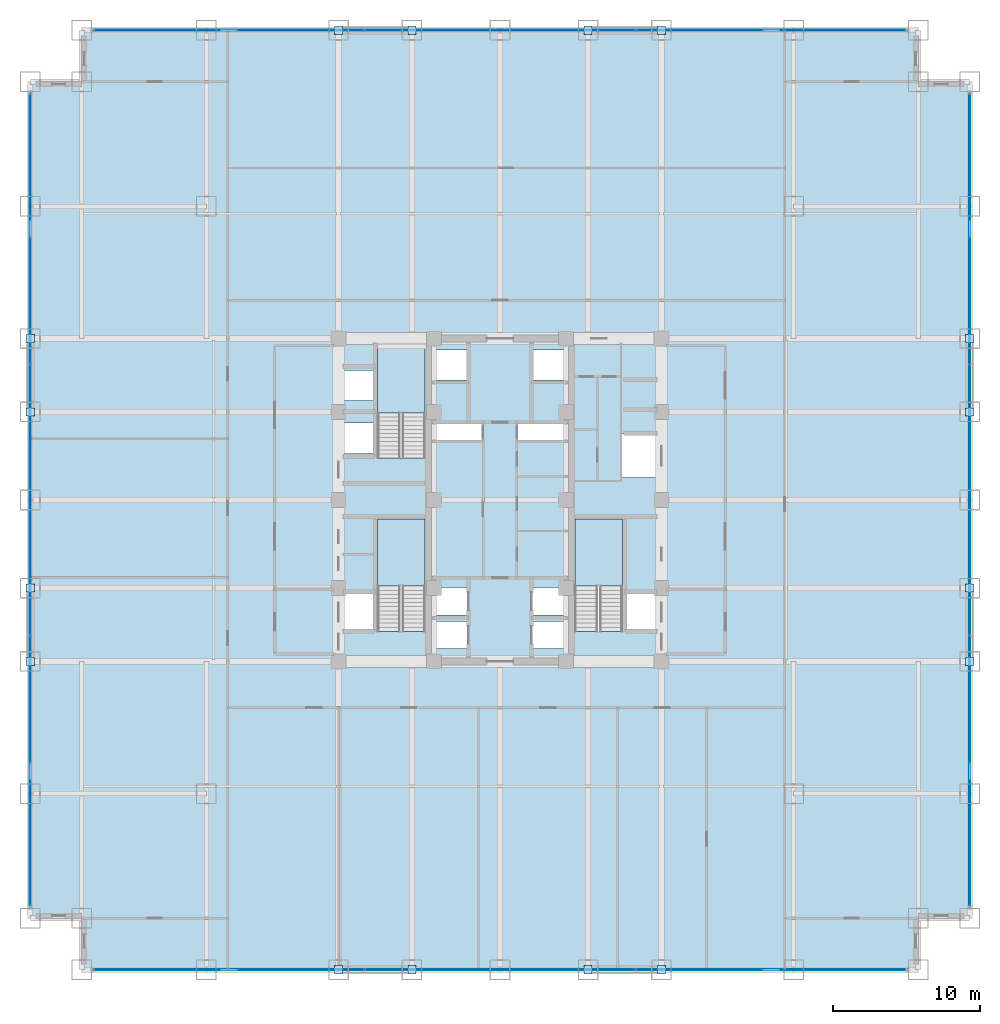
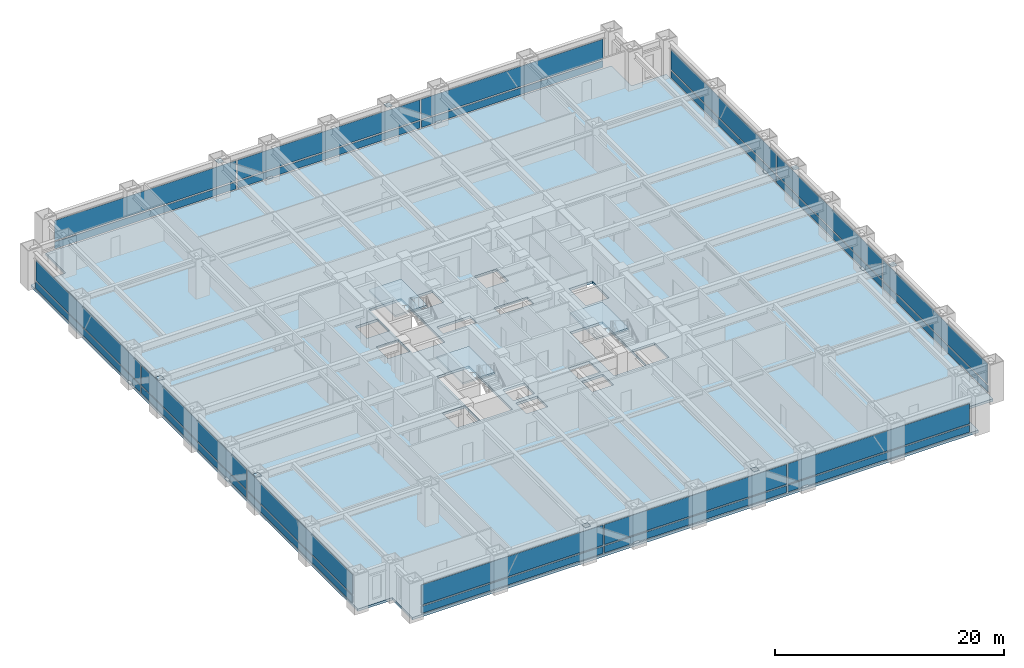
# One storey, part 22 of 27: 40 plates, 4 slabs, 7 elements without a shape of their own.
"""IFC4 building model written with IfcOpenShell, lengths in metres."""

from ifc_helpers import new_model, si_unit, direction, frame, origin, origin_2d, place, context, subcontext, project, spatial, polyline, rectangle, outline, extrude, source, transform, mapped, material, layer, layer_set, type_object, element, aggregate, save


model = new_model("IFC4")

# Units and contexts
model_context = context("Model", 3, precision=1e-05, world=origin(), true_north=direction((0.0, 1.0)))
body_context = subcontext(model_context, "Body", "Model", "MODEL_VIEW")
ifc_project = project(units=[si_unit("LENGTHUNIT", "METRE"), si_unit("AREAUNIT", "SQUARE_METRE"), si_unit("VOLUMEUNIT", "CUBIC_METRE"), si_unit("PLANEANGLEUNIT", "RADIAN"), si_unit("MASSUNIT", "GRAM", prefix="KILO")], contexts=[model_context])

# Site, building, storey
site_placement = place(None, origin())
site = spatial("IfcSite", under=ifc_project, at=site_placement, CompositionType="ELEMENT")
building_placement = place(site_placement, origin())
building = spatial("IfcBuilding", under=site, at=building_placement, Name="Khorayat Bourse Tower", CompositionType="ELEMENT")
storey_placement = place(building_placement, frame((0.0, 0.0, 53.60009765625)))
storey = spatial("IfcBuildingStorey", under=building, at=storey_placement, Name="L11", CompositionType="ELEMENT", Elevation=53.60009765625)

# Stair, slab
ifc_material_1 = material(Name="Concrete C40/50", Category="concrete")
stair_type = type_object("IfcStairType", Name="STR-CORE-1550", PredefinedType="HALF_TURN_STAIR", material=ifc_material_1)
stair_1_placement = place(storey_placement, origin())
stair_1 = element("IfcStair", 1, at=stair_1_placement, inside=storey, type_object=stair_type, Name="L11 Exit Stair ST-1", PredefinedType="HALF_TURN_STAIR")
ifc_layer_1 = layer(ifc_material_1, 0.199951171875)
ifc_layer_set_1 = layer_set([ifc_layer_1], Name="Concrete C40/50")
slab_type_1 = type_object("IfcSlabType", Name="SLB-LANDING-200", PredefinedType="LANDING", material=ifc_layer_set_1)
slab_1_placement = place(storey_placement, frame((0.0, 0.0, 1.89990234375)))
slab_1 = element("IfcSlab", 2, at=slab_1_placement, type_object=slab_type_1, Name="ST-1 landing 1", PredefinedType="LANDING", context=body_context, shape_type="SweptSolid", body=[
    extrude(outline(polyline([(-5.10009765625, -5.8701171875), (-5.10009765625, -1.300048828125), (-8.35009765625, -1.300048828125), (-8.35009765625, -5.8701171875), (-5.10009765625, -5.8701171875)])), origin(), (0.0, 0.0, 1.0), 0.199951171875),
])
aggregate(stair_1, [slab_1])

stair_2_placement = place(storey_placement, origin())
stair_2 = element("IfcStair", 3, at=stair_2_placement, inside=storey, type_object=stair_type, Name="L11 Exit Stair ST-2", PredefinedType="HALF_TURN_STAIR")
slab_2_placement = place(storey_placement, frame((0.0, 0.0, 1.89990234375)))
slab_2 = element("IfcSlab", 4, at=slab_2_placement, type_object=slab_type_1, Name="ST-2 landing 1", PredefinedType="LANDING", context=body_context, shape_type="SweptSolid", body=[
    extrude(outline(polyline([(-5.10009765625, 5.929931640625), (-5.10009765625, 10.5), (-8.35009765625, 10.5), (-8.35009765625, 5.929931640625), (-5.10009765625, 5.929931640625)])), origin(), (0.0, 0.0, 1.0), 0.199951171875),
])
aggregate(stair_2, [slab_2])

stair_3_placement = place(storey_placement, origin())
stair_3 = element("IfcStair", 5, at=stair_3_placement, inside=storey, type_object=stair_type, Name="L11 Exit Stair ST-3", PredefinedType="HALF_TURN_STAIR")
slab_3_placement = place(storey_placement, frame((0.0, 0.0, 1.89990234375)))
slab_3 = element("IfcSlab", 6, at=slab_3_placement, type_object=slab_type_1, Name="ST-3 landing 1", PredefinedType="LANDING", context=body_context, shape_type="SweptSolid", body=[
    extrude(outline(polyline([(8.35009765625, -5.8701171875), (8.35009765625, -1.300048828125), (5.10009765625, -1.300048828125), (5.10009765625, -5.8701171875), (8.35009765625, -5.8701171875)])), origin(), (0.0, 0.0, 1.0), 0.199951171875),
])
aggregate(stair_3, [slab_3])

# Slab
ifc_layer_2 = layer(ifc_material_1, 0.260009765625)
ifc_layer_set_2 = layer_set([ifc_layer_2], Name="Concrete C40/50")
slab_type_2 = type_object("IfcSlabType", Name="SLB-TRADE-260", PredefinedType="FLOOR", material=ifc_layer_set_2)
slab_4_placement = place(storey_placement, frame((0.0, 0.0, -0.260009765625)))
element("IfcSlab", 7, at=slab_4_placement, inside=storey, type_object=slab_type_2, Name="L11 Main Floor Slab", PredefinedType="FLOOR", context=body_context, shape_type="SweptSolid", body=[
    extrude(outline(polyline([(-28.5, -32.0), (28.5, -32.0), (28.5, -28.5), (32.0, -28.5), (32.0, 28.5), (28.5, 28.5), (28.5, 32.0), (-28.5, 32.0), (-28.5, 28.5), (-32.0, 28.5), (-32.0, -28.5), (-28.5, -28.5), (-28.5, -32.0)]), holes=[polyline([(-8.35009765625, -8.945068359375), (-5.10009765625, -8.945068359375), (-5.10009765625, -1.300048828125), (-8.35009765625, -1.300048828125), (-8.35009765625, -8.945068359375)]), polyline([(-8.35009765625, 2.85498046875), (-5.10009765625, 2.85498046875), (-5.10009765625, 10.5), (-8.35009765625, 10.5), (-8.35009765625, 2.85498046875)]), polyline([(5.10009765625, -8.945068359375), (8.35009765625, -8.945068359375), (8.35009765625, -1.300048828125), (5.10009765625, -1.300048828125), (5.10009765625, -8.945068359375)]), polyline([(-4.3798828125, -10.1298828125), (-2.219970703125, -10.1298828125), (-2.219970703125, -8.27001953125), (-4.3798828125, -8.27001953125), (-4.3798828125, -10.1298828125)]), polyline([(2.219970703125, -10.1298828125), (4.3798828125, -10.1298828125), (4.3798828125, -8.27001953125), (2.219970703125, -8.27001953125), (2.219970703125, -10.1298828125)]), polyline([(-4.3798828125, -7.830078125), (-2.219970703125, -7.830078125), (-2.219970703125, -5.969970703125), (-4.3798828125, -5.969970703125), (-4.3798828125, -7.830078125)]), polyline([(2.219970703125, -7.830078125), (4.3798828125, -7.830078125), (4.3798828125, -5.969970703125), (2.219970703125, -5.969970703125), (2.219970703125, -7.830078125)]), polyline([(-4.3798828125, 8.169921875), (-2.1201171875, 8.169921875), (-2.1201171875, 10.22998046875), (-4.3798828125, 10.22998046875), (-4.3798828125, 8.169921875)]), polyline([(2.1201171875, 8.169921875), (4.3798828125, 8.169921875), (4.3798828125, 10.22998046875), (2.1201171875, 10.22998046875), (2.1201171875, 8.169921875)]), polyline([(-10.679931640625, 3.169921875), (-8.419921875, 3.169921875), (-8.419921875, 5.22998046875), (-10.679931640625, 5.22998046875), (-10.679931640625, 3.169921875)]), polyline([(-10.679931640625, 6.77001953125), (-8.419921875, 6.77001953125), (-8.419921875, 8.830078125), (-10.679931640625, 8.830078125), (-10.679931640625, 6.77001953125)]), polyline([(-10.679931640625, -8.929931640625), (-8.419921875, -8.929931640625), (-8.419921875, -6.3701171875), (-10.679931640625, -6.3701171875), (-10.679931640625, -8.929931640625)]), polyline([(8.419921875, -8.929931640625), (10.679931640625, -8.929931640625), (10.679931640625, -6.3701171875), (8.419921875, -6.3701171875), (8.419921875, -8.929931640625)]), polyline([(8.320068359375, 1.52001953125), (10.679931640625, 1.52001953125), (10.679931640625, 4.47998046875), (8.320068359375, 4.47998046875), (8.320068359375, 1.52001953125)]), polyline([(-4.56005859375, 4.080078125), (-1.18994140625, 4.080078125), (-1.18994140625, 5.219970703125), (-4.56005859375, 5.219970703125), (-4.56005859375, 4.080078125)]), polyline([(1.18994140625, 4.080078125), (4.56005859375, 4.080078125), (4.56005859375, 5.219970703125), (1.18994140625, 5.219970703125), (1.18994140625, 4.080078125)])]), origin(), (0.0, 0.0, 1.0), 0.260009765625),
])

# Plates
ifc_material_2 = material(Name="Steel EN 10025-2 S355J2", Category="steel")
ifc_layer_3 = layer(ifc_material_2, 0.02490234375)
ifc_layer_set_3 = layer_set([ifc_layer_3], Name="Steel EN 10025-2 S355J2")
plate_type_1 = type_object("IfcPlateType", Name="PLT-ENDCAP-25", PredefinedType="SHEET", material=ifc_layer_set_3)
shared_shape_1 = source(origin(), body_context, "Body", "SweptSolid", [
    extrude(rectangle(XDim=0.56005859375, YDim=0.56005859375, at=origin_2d()), origin(), (0.0, 0.0, 1.0), 0.02490234375),
])
for number, where, z_axis, x_axis, name in (
    (8, (-11.0, -32.0, 3.677490234375), (0.0, 0.0, 1.0), (1.0, 0.0, 0.0), "L11 Perimeter Brace End Plate 001"),
    (9, (-6.0, -32.0, 0.237548828125), (0.0, 0.0, 1.0), (1.0, 0.0, 0.0), "L11 Perimeter Brace End Plate 002"),
    (10, (6.0, -32.0, 3.677490234375), (0.0, 0.0, 1.0), (1.0, 0.0, 0.0), "L11 Perimeter Brace End Plate 003"),
    (11, (11.0, -32.0, 0.237548828125), (0.0, 0.0, 1.0), (1.0, 0.0, 0.0), "L11 Perimeter Brace End Plate 004"),
    (12, (-11.0, 32.0, 3.677490234375), (0.0, 0.0, 1.0), (1.0, 0.0, 0.0), "L11 Perimeter Brace End Plate 005"),
    (13, (-6.0, 32.0, 0.237548828125), (0.0, 0.0, 1.0), (1.0, 0.0, 0.0), "L11 Perimeter Brace End Plate 006"),
    (14, (6.0, 32.0, 3.677490234375), (0.0, 0.0, 1.0), (1.0, 0.0, 0.0), "L11 Perimeter Brace End Plate 007"),
    (15, (11.0, 32.0, 0.237548828125), (0.0, 0.0, 1.0), (1.0, 0.0, 0.0), "L11 Perimeter Brace End Plate 008"),
    (16, (-32.0, -11.0, 3.677490234375), (0.0, 0.0, 1.0), (1.0, 0.0, 0.0), "L11 Perimeter Brace End Plate 009"),
    (17, (-32.0, -6.0, 0.237548828125), (0.0, 0.0, 1.0), (1.0, 0.0, 0.0), "L11 Perimeter Brace End Plate 010"),
    (18, (-32.0, 6.0, 3.677490234375), (0.0, 0.0, 1.0), (1.0, 0.0, 0.0), "L11 Perimeter Brace End Plate 011"),
    (19, (-32.0, 11.0, 0.237548828125), (0.0, 0.0, 1.0), (1.0, 0.0, 0.0), "L11 Perimeter Brace End Plate 012"),
    (20, (32.0, -11.0, 3.677490234375), (0.0, 0.0, 1.0), (1.0, 0.0, 0.0), "L11 Perimeter Brace End Plate 013"),
    (21, (32.0, -6.0, 0.237548828125), (0.0, 0.0, 1.0), (1.0, 0.0, 0.0), "L11 Perimeter Brace End Plate 014"),
    (22, (32.0, 6.0, 3.677490234375), (0.0, 0.0, 1.0), (1.0, 0.0, 0.0), "L11 Perimeter Brace End Plate 015"),
    (23, (32.0, 11.0, 0.237548828125), (0.0, 0.0, 1.0), (1.0, 0.0, 0.0), "L11 Perimeter Brace End Plate 016"),
):
    element("IfcPlate", number, at=place(storey_placement, frame(where, z_axis=z_axis, x_axis=x_axis)), inside=storey, type_object=plate_type_1, Name=name, PredefinedType="SHEET", context=body_context, shape_type="MappedRepresentation", body=[
        mapped(shared_shape_1, transform((0.0, 0.0, 0.0), scale=1.0)),
    ])

# Curtain wall, plates
ifc_material_3 = material(Name="Aluminium EN AW-6063 T6", Category="aluminium")
curtain_wall_type = type_object("IfcCurtainWallType", Name="CW-SYS-02", PredefinedType="NOTDEFINED", material=ifc_material_3)
curtain_wall_1_placement = place(storey_placement, origin())
curtain_wall_1 = element("IfcCurtainWall", 24, at=curtain_wall_1_placement, inside=storey, type_object=curtain_wall_type, Name="L11 Curtain Wall CW-L11-S1", PredefinedType="NOTDEFINED")
ifc_material_4 = material(Name="Honed desert limestone insulated spandrel", Category="masonry")
ifc_layer_4 = layer(ifc_material_4, 0.06494140625)
ifc_layer_set_4 = layer_set([ifc_layer_4], Name="Honed desert limestone insulated spandrel")
plate_type_2 = type_object("IfcPlateType", Name="CWP-SPAND-03", PredefinedType="CURTAIN_PANEL", material=ifc_layer_set_4)
shared_shape_2 = source(origin(), body_context, "Body", "SweptSolid", [
    extrude(rectangle(XDim=18.2900390625, YDim=0.06494140625, at=origin_2d()), origin(), (0.0, 0.0, 1.0), 0.739990234375),
])
plate_1_placement = place(storey_placement, frame((-18.465087890625, -32.0, 0.14013671875), z_axis=(0.0, 0.0, 1.0), x_axis=(1.0, 0.0, 0.0)))
plate_1 = element("IfcPlate", 25, at=plate_1_placement, type_object=plate_type_2, Name="CW-L11-S1 Spandrel Panel 1-1", PredefinedType="CURTAIN_PANEL", context=body_context, shape_type="MappedRepresentation", body=[
    mapped(shared_shape_2, transform((0.0, 0.0, 0.0), scale=1.0)),
])
plate_2_placement = place(storey_placement, frame((18.465087890625, -32.0, 0.14013671875), z_axis=(0.0, 0.0, 1.0), x_axis=(1.0, 0.0, 0.0)))
plate_2 = element("IfcPlate", 26, at=plate_2_placement, type_object=plate_type_2, Name="CW-L11-S1 Spandrel Panel 3-1", PredefinedType="CURTAIN_PANEL", context=body_context, shape_type="MappedRepresentation", body=[
    mapped(shared_shape_2, transform((0.0, 0.0, 0.0), scale=1.0)),
])

curtain_wall_2_placement = place(storey_placement, origin())
curtain_wall_2 = element("IfcCurtainWall", 27, at=curtain_wall_2_placement, inside=storey, type_object=curtain_wall_type, Name="L11 Curtain Wall CW-L11-N1", PredefinedType="NOTDEFINED")
plate_3_placement = place(storey_placement, frame((-18.465087890625, 32.0, 0.14013671875), z_axis=(0.0, 0.0, 1.0), x_axis=(1.0, 0.0, 0.0)))
plate_3 = element("IfcPlate", 28, at=plate_3_placement, type_object=plate_type_2, Name="CW-L11-N1 Spandrel Panel 1-1", PredefinedType="CURTAIN_PANEL", context=body_context, shape_type="MappedRepresentation", body=[
    mapped(shared_shape_2, transform((0.0, 0.0, 0.0), scale=1.0)),
])
plate_4_placement = place(storey_placement, frame((18.465087890625, 32.0, 0.14013671875), z_axis=(0.0, 0.0, 1.0), x_axis=(1.0, 0.0, 0.0)))
plate_4 = element("IfcPlate", 29, at=plate_4_placement, type_object=plate_type_2, Name="CW-L11-N1 Spandrel Panel 3-1", PredefinedType="CURTAIN_PANEL", context=body_context, shape_type="MappedRepresentation", body=[
    mapped(shared_shape_2, transform((0.0, 0.0, 0.0), scale=1.0)),
])

curtain_wall_3_placement = place(storey_placement, origin())
curtain_wall_3 = element("IfcCurtainWall", 30, at=curtain_wall_3_placement, inside=storey, type_object=curtain_wall_type, Name="L11 Curtain Wall CW-L11-W1", PredefinedType="NOTDEFINED")
plate_5_placement = place(storey_placement, frame((-32.0, -18.465087890625, 0.14013671875), z_axis=(0.0, 0.0, 1.0), x_axis=(0.0, 1.0, 0.0)))
plate_5 = element("IfcPlate", 31, at=plate_5_placement, type_object=plate_type_2, Name="CW-L11-W1 Spandrel Panel 1-1", PredefinedType="CURTAIN_PANEL", context=body_context, shape_type="MappedRepresentation", body=[
    mapped(shared_shape_2, transform((0.0, 0.0, 0.0), scale=1.0)),
])
plate_6_placement = place(storey_placement, frame((-32.0, 18.465087890625, 0.14013671875), z_axis=(0.0, 0.0, 1.0), x_axis=(0.0, 1.0, 0.0)))
plate_6 = element("IfcPlate", 32, at=plate_6_placement, type_object=plate_type_2, Name="CW-L11-W1 Spandrel Panel 3-1", PredefinedType="CURTAIN_PANEL", context=body_context, shape_type="MappedRepresentation", body=[
    mapped(shared_shape_2, transform((0.0, 0.0, 0.0), scale=1.0)),
])

curtain_wall_4_placement = place(storey_placement, origin())
curtain_wall_4 = element("IfcCurtainWall", 33, at=curtain_wall_4_placement, inside=storey, type_object=curtain_wall_type, Name="L11 Curtain Wall CW-L11-E1", PredefinedType="NOTDEFINED")
plate_7_placement = place(storey_placement, frame((32.0, -18.465087890625, 0.14013671875), z_axis=(0.0, 0.0, 1.0), x_axis=(0.0, 1.0, 0.0)))
plate_7 = element("IfcPlate", 34, at=plate_7_placement, type_object=plate_type_2, Name="CW-L11-E1 Spandrel Panel 1-1", PredefinedType="CURTAIN_PANEL", context=body_context, shape_type="MappedRepresentation", body=[
    mapped(shared_shape_2, transform((0.0, 0.0, 0.0), scale=1.0)),
])
plate_8_placement = place(storey_placement, frame((32.0, 18.465087890625, 0.14013671875), z_axis=(0.0, 0.0, 1.0), x_axis=(0.0, 1.0, 0.0)))
plate_8 = element("IfcPlate", 35, at=plate_8_placement, type_object=plate_type_2, Name="CW-L11-E1 Spandrel Panel 3-1", PredefinedType="CURTAIN_PANEL", context=body_context, shape_type="MappedRepresentation", body=[
    mapped(shared_shape_2, transform((0.0, 0.0, 0.0), scale=1.0)),
])

# Plate
ifc_material_5 = material(Name="Low-E solar-control laminated double glazing", Category="glass")
ifc_layer_5 = layer(ifc_material_5, 0.0419921875)
ifc_layer_set_5 = layer_set([ifc_layer_5], Name="Low-E solar-control laminated double glazing")
plate_type_3 = type_object("IfcPlateType", Name="CWP-FACET-02", PredefinedType="CURTAIN_PANEL", material=ifc_layer_set_5)
shared_shape_3 = source(origin(), body_context, "Body", "SweptSolid", [
    extrude(rectangle(XDim=18.2900390625, YDim=0.0419921875, at=origin_2d()), origin(), (0.0, 0.0, 1.0), 2.1298828125),
])
plate_9_placement = place(storey_placement, frame((-18.465087890625, -32.0, 1.02001953125), z_axis=(0.0, 0.0, 1.0), x_axis=(1.0, 0.0, 0.0)))
plate_9 = element("IfcPlate", 36, at=plate_9_placement, type_object=plate_type_3, Name="CW-L11-S1 Vision Panel 1-2", PredefinedType="CURTAIN_PANEL", context=body_context, shape_type="MappedRepresentation", body=[
    mapped(shared_shape_3, transform((0.0, 0.0, 0.0), scale=1.0)),
])

plate_10_placement = place(storey_placement, frame((18.465087890625, -32.0, 1.02001953125), z_axis=(0.0, 0.0, 1.0), x_axis=(1.0, 0.0, 0.0)))
plate_10 = element("IfcPlate", 37, at=plate_10_placement, type_object=plate_type_3, Name="CW-L11-S1 Vision Panel 3-2", PredefinedType="CURTAIN_PANEL", context=body_context, shape_type="MappedRepresentation", body=[
    mapped(shared_shape_3, transform((0.0, 0.0, 0.0), scale=1.0)),
])

plate_11_placement = place(storey_placement, frame((-18.465087890625, 32.0, 1.02001953125), z_axis=(0.0, 0.0, 1.0), x_axis=(1.0, 0.0, 0.0)))
plate_11 = element("IfcPlate", 38, at=plate_11_placement, type_object=plate_type_3, Name="CW-L11-N1 Vision Panel 1-2", PredefinedType="CURTAIN_PANEL", context=body_context, shape_type="MappedRepresentation", body=[
    mapped(shared_shape_3, transform((0.0, 0.0, 0.0), scale=1.0)),
])

plate_12_placement = place(storey_placement, frame((18.465087890625, 32.0, 1.02001953125), z_axis=(0.0, 0.0, 1.0), x_axis=(1.0, 0.0, 0.0)))
plate_12 = element("IfcPlate", 39, at=plate_12_placement, type_object=plate_type_3, Name="CW-L11-N1 Vision Panel 3-2", PredefinedType="CURTAIN_PANEL", context=body_context, shape_type="MappedRepresentation", body=[
    mapped(shared_shape_3, transform((0.0, 0.0, 0.0), scale=1.0)),
])

plate_13_placement = place(storey_placement, frame((-32.0, -18.465087890625, 1.02001953125), z_axis=(0.0, 0.0, 1.0), x_axis=(0.0, 1.0, 0.0)))
plate_13 = element("IfcPlate", 40, at=plate_13_placement, type_object=plate_type_3, Name="CW-L11-W1 Vision Panel 1-2", PredefinedType="CURTAIN_PANEL", context=body_context, shape_type="MappedRepresentation", body=[
    mapped(shared_shape_3, transform((0.0, 0.0, 0.0), scale=1.0)),
])

plate_14_placement = place(storey_placement, frame((-32.0, 18.465087890625, 1.02001953125), z_axis=(0.0, 0.0, 1.0), x_axis=(0.0, 1.0, 0.0)))
plate_14 = element("IfcPlate", 41, at=plate_14_placement, type_object=plate_type_3, Name="CW-L11-W1 Vision Panel 3-2", PredefinedType="CURTAIN_PANEL", context=body_context, shape_type="MappedRepresentation", body=[
    mapped(shared_shape_3, transform((0.0, 0.0, 0.0), scale=1.0)),
])

plate_15_placement = place(storey_placement, frame((32.0, -18.465087890625, 1.02001953125), z_axis=(0.0, 0.0, 1.0), x_axis=(0.0, 1.0, 0.0)))
plate_15 = element("IfcPlate", 42, at=plate_15_placement, type_object=plate_type_3, Name="CW-L11-E1 Vision Panel 1-2", PredefinedType="CURTAIN_PANEL", context=body_context, shape_type="MappedRepresentation", body=[
    mapped(shared_shape_3, transform((0.0, 0.0, 0.0), scale=1.0)),
])

plate_16_placement = place(storey_placement, frame((32.0, 18.465087890625, 1.02001953125), z_axis=(0.0, 0.0, 1.0), x_axis=(0.0, 1.0, 0.0)))
plate_16 = element("IfcPlate", 43, at=plate_16_placement, type_object=plate_type_3, Name="CW-L11-E1 Vision Panel 3-2", PredefinedType="CURTAIN_PANEL", context=body_context, shape_type="MappedRepresentation", body=[
    mapped(shared_shape_3, transform((0.0, 0.0, 0.0), scale=1.0)),
])

shared_shape_4 = source(origin(), body_context, "Body", "SweptSolid", [
    extrude(rectangle(XDim=18.360107421875, YDim=0.06494140625, at=origin_2d()), origin(), (0.0, 0.0, 1.0), 0.739990234375),
])
plate_17_placement = place(storey_placement, frame((0.0, -32.0, 0.14013671875), z_axis=(0.0, 0.0, 1.0), x_axis=(1.0, 0.0, 0.0)))
plate_17 = element("IfcPlate", 44, at=plate_17_placement, type_object=plate_type_2, Name="CW-L11-S1 Spandrel Panel 2-1", PredefinedType="CURTAIN_PANEL", context=body_context, shape_type="MappedRepresentation", body=[
    mapped(shared_shape_4, transform((0.0, 0.0, 0.0), scale=1.0)),
])

plate_18_placement = place(storey_placement, frame((0.0, 32.0, 0.14013671875), z_axis=(0.0, 0.0, 1.0), x_axis=(1.0, 0.0, 0.0)))
plate_18 = element("IfcPlate", 45, at=plate_18_placement, type_object=plate_type_2, Name="CW-L11-N1 Spandrel Panel 2-1", PredefinedType="CURTAIN_PANEL", context=body_context, shape_type="MappedRepresentation", body=[
    mapped(shared_shape_4, transform((0.0, 0.0, 0.0), scale=1.0)),
])

plate_19_placement = place(storey_placement, frame((-32.0, 0.0, 0.14013671875), z_axis=(0.0, 0.0, 1.0), x_axis=(0.0, 1.0, 0.0)))
plate_19 = element("IfcPlate", 46, at=plate_19_placement, type_object=plate_type_2, Name="CW-L11-W1 Spandrel Panel 2-1", PredefinedType="CURTAIN_PANEL", context=body_context, shape_type="MappedRepresentation", body=[
    mapped(shared_shape_4, transform((0.0, 0.0, 0.0), scale=1.0)),
])

plate_20_placement = place(storey_placement, frame((32.0, 0.0, 0.14013671875), z_axis=(0.0, 0.0, 1.0), x_axis=(0.0, 1.0, 0.0)))
plate_20 = element("IfcPlate", 47, at=plate_20_placement, type_object=plate_type_2, Name="CW-L11-E1 Spandrel Panel 2-1", PredefinedType="CURTAIN_PANEL", context=body_context, shape_type="MappedRepresentation", body=[
    mapped(shared_shape_4, transform((0.0, 0.0, 0.0), scale=1.0)),
])

shared_shape_5 = source(origin(), body_context, "Body", "SweptSolid", [
    extrude(rectangle(XDim=18.360107421875, YDim=0.0419921875, at=origin_2d()), origin(), (0.0, 0.0, 1.0), 2.1298828125),
])
plate_21_placement = place(storey_placement, frame((0.0, -32.0, 1.02001953125), z_axis=(0.0, 0.0, 1.0), x_axis=(1.0, 0.0, 0.0)))
plate_21 = element("IfcPlate", 48, at=plate_21_placement, type_object=plate_type_3, Name="CW-L11-S1 Vision Panel 2-2", PredefinedType="CURTAIN_PANEL", context=body_context, shape_type="MappedRepresentation", body=[
    mapped(shared_shape_5, transform((0.0, 0.0, 0.0), scale=1.0)),
])

aggregate(curtain_wall_1, [plate_1, plate_9, plate_17, plate_21, plate_2, plate_10])

plate_22_placement = place(storey_placement, frame((0.0, 32.0, 1.02001953125), z_axis=(0.0, 0.0, 1.0), x_axis=(1.0, 0.0, 0.0)))
plate_22 = element("IfcPlate", 49, at=plate_22_placement, type_object=plate_type_3, Name="CW-L11-N1 Vision Panel 2-2", PredefinedType="CURTAIN_PANEL", context=body_context, shape_type="MappedRepresentation", body=[
    mapped(shared_shape_5, transform((0.0, 0.0, 0.0), scale=1.0)),
])

aggregate(curtain_wall_2, [plate_3, plate_11, plate_18, plate_22, plate_4, plate_12])

plate_23_placement = place(storey_placement, frame((-32.0, 0.0, 1.02001953125), z_axis=(0.0, 0.0, 1.0), x_axis=(0.0, 1.0, 0.0)))
plate_23 = element("IfcPlate", 50, at=plate_23_placement, type_object=plate_type_3, Name="CW-L11-W1 Vision Panel 2-2", PredefinedType="CURTAIN_PANEL", context=body_context, shape_type="MappedRepresentation", body=[
    mapped(shared_shape_5, transform((0.0, 0.0, 0.0), scale=1.0)),
])

aggregate(curtain_wall_3, [plate_5, plate_13, plate_19, plate_23, plate_6, plate_14])

plate_24_placement = place(storey_placement, frame((32.0, 0.0, 1.02001953125), z_axis=(0.0, 0.0, 1.0), x_axis=(0.0, 1.0, 0.0)))
plate_24 = element("IfcPlate", 51, at=plate_24_placement, type_object=plate_type_3, Name="CW-L11-E1 Vision Panel 2-2", PredefinedType="CURTAIN_PANEL", context=body_context, shape_type="MappedRepresentation", body=[
    mapped(shared_shape_5, transform((0.0, 0.0, 0.0), scale=1.0)),
])

aggregate(curtain_wall_4, [plate_7, plate_15, plate_20, plate_24, plate_8, plate_16])

save(model, "model.ifc")
